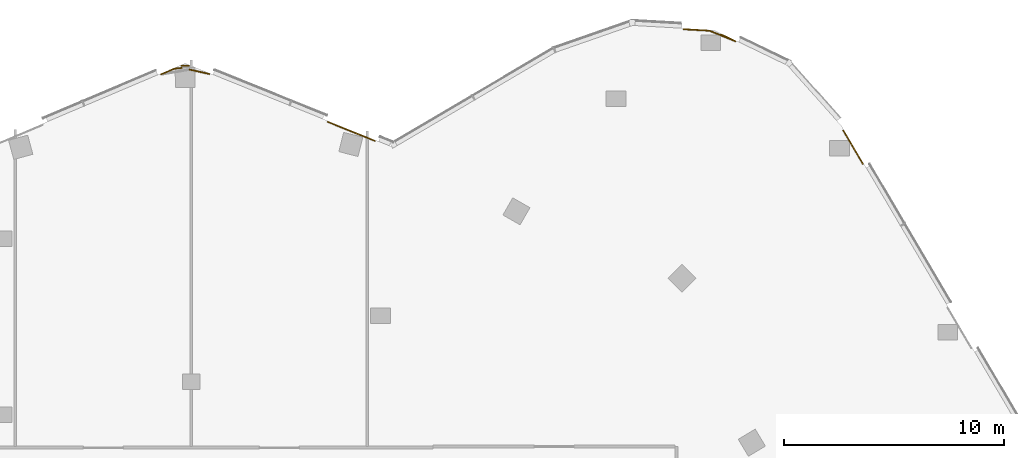
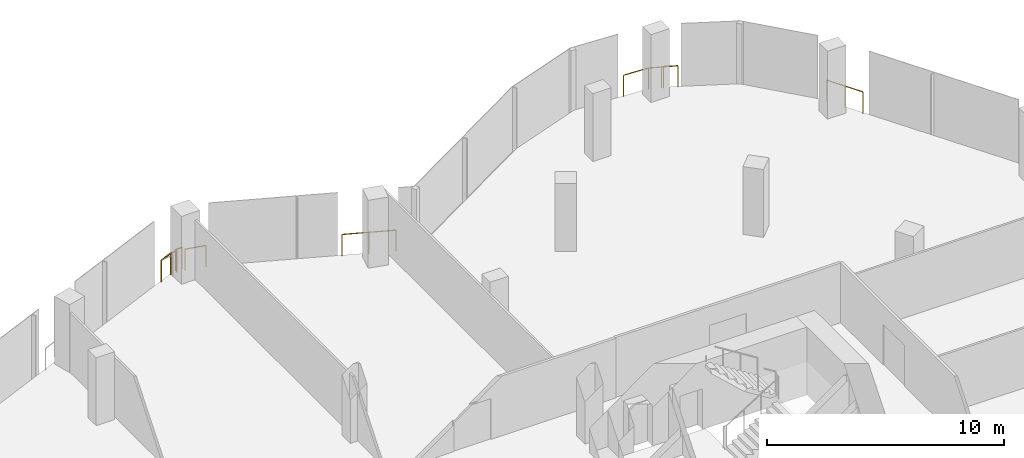
# One storey, part 26 of 26: 8 railings.
"""IFC4 building model written with IfcOpenShell, lengths in metres."""

from ifc_helpers import new_model, si_unit, direction, frame, origin, origin_2d, place, context, subcontext, project, spatial, circle, extrude, material, type_object, element, save


model = new_model("IFC4")

# Units and contexts
model_context = context("Model", 3, precision=1e-05, world=origin(), true_north=direction((0.0, 1.0)))
body_context = subcontext(model_context, "Body", "Model", "MODEL_VIEW")
ifc_project = project(units=[si_unit("LENGTHUNIT", "METRE"), si_unit("AREAUNIT", "SQUARE_METRE"), si_unit("VOLUMEUNIT", "CUBIC_METRE"), si_unit("PLANEANGLEUNIT", "RADIAN"), si_unit("MASSUNIT", "GRAM", prefix="KILO")], contexts=[model_context])

# Site, building, storey
site_placement = place(None, origin())
site = spatial("IfcSite", under=ifc_project, at=site_placement, CompositionType="ELEMENT")
building_placement = place(site_placement, origin())
building = spatial("IfcBuilding", under=site, at=building_placement, Name="Orlundy Tower", CompositionType="ELEMENT")
storey_placement = place(building_placement, frame((0.0, 0.0, 275.39990234375)))
storey = spatial("IfcBuildingStorey", under=building, at=storey_placement, Name="L73", CompositionType="ELEMENT", Elevation=275.39990234375)

# Railings
ifc_material = material(Name="Stainless steel bronze finish", Category="steel")
railing_type = type_object("IfcRailingType", Name="TG1 terrace guard", PredefinedType="GUARDRAIL", material=ifc_material)
railing_1_placement = place(storey_placement, frame((6.2041015625, 29.806640625, 0.0)))
element("IfcRailing", 1, at=railing_1_placement, inside=storey, type_object=railing_type, Name="Guard TG-L73-E08", PredefinedType="GUARDRAIL", context=body_context, shape_type="SweptSolid", body=[
    extrude(circle(Radius=0.02490234375, at=origin_2d()), frame((0.0, 0.0, 1.09521484375), z_axis=(0.927146912801, -0.374698014519, 0.0), x_axis=(0.374698014519, 0.927146912801, 0.0)), (0.0, 0.0, 1.0), 2.302001953125),
    extrude(circle(Radius=0.02001953125, at=origin_2d()), origin(), (0.0, 0.0, 1.0), 1.070068359375),
    extrude(circle(Radius=0.02001953125, at=origin_2d()), frame((1.067138671875, -0.43115234375, 0.0)), (0.0, 0.0, 1.0), 1.070068359375),
    extrude(circle(Radius=0.02001953125, at=origin_2d()), frame((2.13427734375, -0.862548828125, 0.0)), (0.0, 0.0, 1.0), 1.070068359375),
])
railing_2_placement = place(storey_placement, frame((23.55810546875, 33.949462890625, 0.0)))
element("IfcRailing", 2, at=railing_2_placement, inside=storey, type_object=railing_type, Name="Guard TG-L73-E014", PredefinedType="GUARDRAIL", context=body_context, shape_type="SweptSolid", body=[
    extrude(circle(Radius=0.02490234375, at=origin_2d()), frame((0.0, 0.0, 1.09521484375), z_axis=(0.92447778257, -0.38123592372, 0.0), x_axis=(0.38123592372, 0.92447778257, 0.0)), (0.0, 0.0, 1.0), 1.262939453125),
    extrude(circle(Radius=0.02490234375, at=origin_2d()), frame((1.16748046875, -0.4814453125, 1.09521484375), z_axis=(-0.900771098788, 0.434294171717, 0.0), x_axis=(-0.434294171717, -0.900771098788, 0.0)), (0.0, 0.0, 1.0), 0.70556640625),
    extrude(circle(Radius=0.02001953125, at=origin_2d()), origin(), (0.0, 0.0, 1.0), 1.070068359375),
    extrude(circle(Radius=0.02001953125, at=origin_2d()), frame((0.583740234375, -0.24072265625, 0.0)), (0.0, 0.0, 1.0), 1.070068359375),
    extrude(circle(Radius=0.02001953125, at=origin_2d()), frame((1.16748046875, -0.4814453125, 0.0)), (0.0, 0.0, 1.0), 1.070068359375),
    extrude(circle(Radius=0.02001953125, at=origin_2d()), frame((0.531982421875, -0.175048828125, 0.0)), (0.0, 0.0, 1.0), 1.070068359375),
])
railing_3_placement = place(storey_placement, frame((29.634033203125, 29.409423828125, 0.0)))
element("IfcRailing", 3, at=railing_3_placement, inside=storey, type_object=railing_type, Name="Guard TG-L73-E015", PredefinedType="GUARDRAIL", context=body_context, shape_type="SweptSolid", body=[
    extrude(circle(Radius=0.02490234375, at=origin_2d()), frame((0.0, 0.0, 1.09521484375), z_axis=(0.507517501941, -0.861641448181, 0.0), x_axis=(0.861641448181, 0.507517501941, 0.0)), (0.0, 0.0, 1.0), 1.7587890625),
    extrude(circle(Radius=0.02001953125, at=origin_2d()), origin(), (0.0, 0.0, 1.0), 1.070068359375),
    extrude(circle(Radius=0.02001953125, at=origin_2d()), frame((0.4462890625, -0.7578125, 0.0)), (0.0, 0.0, 1.0), 1.070068359375),
    extrude(circle(Radius=0.02001953125, at=origin_2d()), frame((0.892578125, -1.515380859375, 0.0)), (0.0, 0.0, 1.0), 1.070068359375),
])
railing_4_placement = place(storey_placement, frame((22.380615234375, 34.01611328125, 0.0)))
element("IfcRailing", 4, at=railing_4_placement, inside=storey, type_object=railing_type, Name="Guard TG-L73-E019", PredefinedType="GUARDRAIL", context=body_context, shape_type="SweptSolid", body=[
    extrude(circle(Radius=0.02490234375, at=origin_2d()), frame((0.0, 0.0, 1.09521484375), z_axis=(0.998401845734, -0.056513312023, 0.0), x_axis=(0.056513312023, 0.998401845734, 0.0)), (0.0, 0.0, 1.0), 1.179443359375),
    extrude(circle(Radius=0.02001953125, at=origin_2d()), origin(), (0.0, 0.0, 1.0), 1.070068359375),
    extrude(circle(Radius=0.02001953125, at=origin_2d()), frame((1.177490234375, -0.066650390625, 0.0)), (0.0, 0.0, 1.0), 1.070068359375),
])
railing_5_placement = place(storey_placement, frame((-0.083740234375, 32.18505859375, 0.0)))
element("IfcRailing", 5, at=railing_5_placement, inside=storey, type_object=railing_type, Name="Guard TG-L73-E027", PredefinedType="GUARDRAIL", context=body_context, shape_type="SweptSolid", body=[
    extrude(circle(Radius=0.02490234375, at=origin_2d()), frame((0.0, 0.0, 1.09521484375), z_axis=(0.975621012211, -0.21946216196, 0.0), x_axis=(0.21946216196, 0.975621012211, 0.0)), (0.0, 0.0, 1.0), 0.928955078125),
    extrude(circle(Radius=0.02001953125, at=origin_2d()), origin(), (0.0, 0.0, 1.0), 1.070068359375),
    extrude(circle(Radius=0.02001953125, at=origin_2d()), frame((0.90625, -0.203857421875, 0.0)), (0.0, 0.0, 1.0), 1.070068359375),
])
railing_6_placement = place(storey_placement, frame((-1.37548828125, 31.9638671875, 0.0)))
element("IfcRailing", 6, at=railing_6_placement, inside=storey, type_object=railing_type, Name="Guard TG-L73-E029", PredefinedType="GUARDRAIL", context=body_context, shape_type="SweptSolid", body=[
    extrude(circle(Radius=0.02490234375, at=origin_2d()), frame((0.0, 0.0, 1.09521484375), z_axis=(0.920577793898, 0.390559246954, 0.0), x_axis=(-0.390559246954, 0.920577793898, 0.0)), (0.0, 0.0, 1.0), 0.6669921875),
    extrude(circle(Radius=0.02001953125, at=origin_2d()), origin(), (0.0, 0.0, 1.0), 1.070068359375),
    extrude(circle(Radius=0.02001953125, at=origin_2d()), frame((0.614013671875, 0.260498046875, 0.0)), (0.0, 0.0, 1.0), 1.070068359375),
])
railing_7_placement = place(storey_placement, frame((-0.451416015625, 32.35595703125, 0.0)))
element("IfcRailing", 7, at=railing_7_placement, inside=storey, type_object=railing_type, Name="Guard TG-L73-E032", PredefinedType="GUARDRAIL", context=body_context, shape_type="SweptSolid", body=[
    extrude(circle(Radius=0.02490234375, at=origin_2d()), frame((0.0, 0.0, 1.09521484375), z_axis=(0.999962629473, 0.008645210053, 0.0), x_axis=(-0.008645210053, 0.999962629473, 0.0)), (0.0, 0.0, 1.0), 0.3388671875),
    extrude(circle(Radius=0.02001953125, at=origin_2d()), origin(), (0.0, 0.0, 1.0), 1.070068359375),
    extrude(circle(Radius=0.02001953125, at=origin_2d()), frame((0.3388671875, 0.0029296875, 0.0)), (0.0, 0.0, 1.0), 1.070068359375),
])
railing_8_placement = place(storey_placement, frame((-0.761474609375, 32.224365234375, 0.0)))
element("IfcRailing", 8, at=railing_8_placement, inside=storey, type_object=railing_type, Name="Guard TG-L73-E033", PredefinedType="GUARDRAIL", context=body_context, shape_type="SweptSolid", body=[
    extrude(circle(Radius=0.02490234375, at=origin_2d()), frame((0.0, 0.0, 1.09521484375), z_axis=(0.994909809126, 0.100769398657, 0.0), x_axis=(-0.100769398657, 0.994909809126, 0.0)), (0.0, 0.0, 1.0), 0.32470703125),
    extrude(circle(Radius=0.02001953125, at=origin_2d()), origin(), (0.0, 0.0, 1.0), 1.070068359375),
    extrude(circle(Radius=0.02001953125, at=origin_2d()), frame((0.322998046875, 0.03271484375, 0.0)), (0.0, 0.0, 1.0), 1.070068359375),
])

save(model, "model.ifc")
